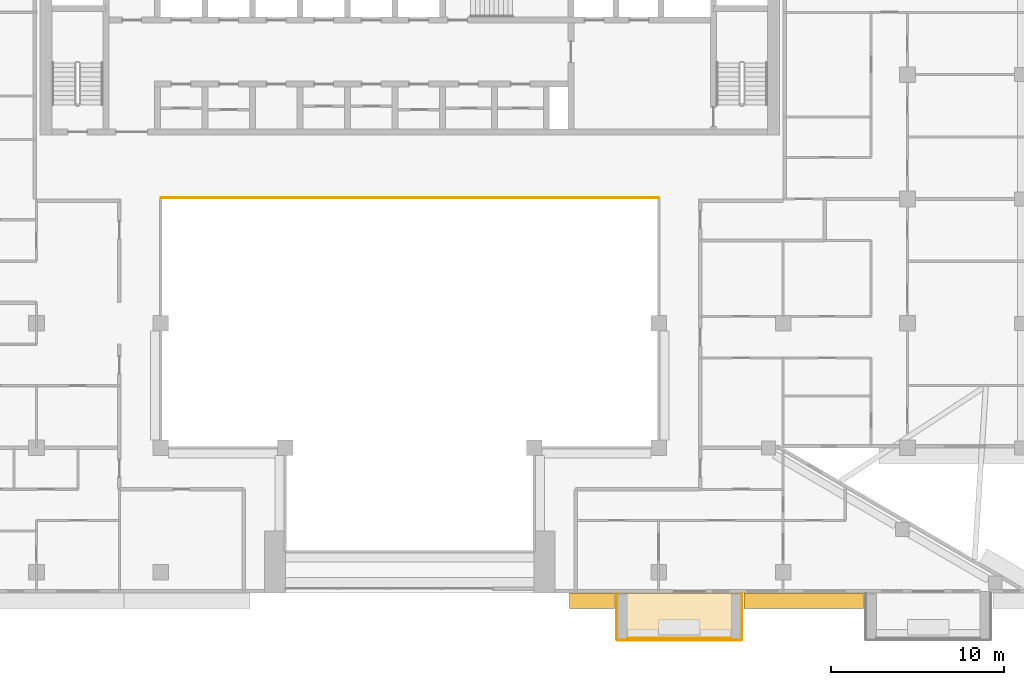
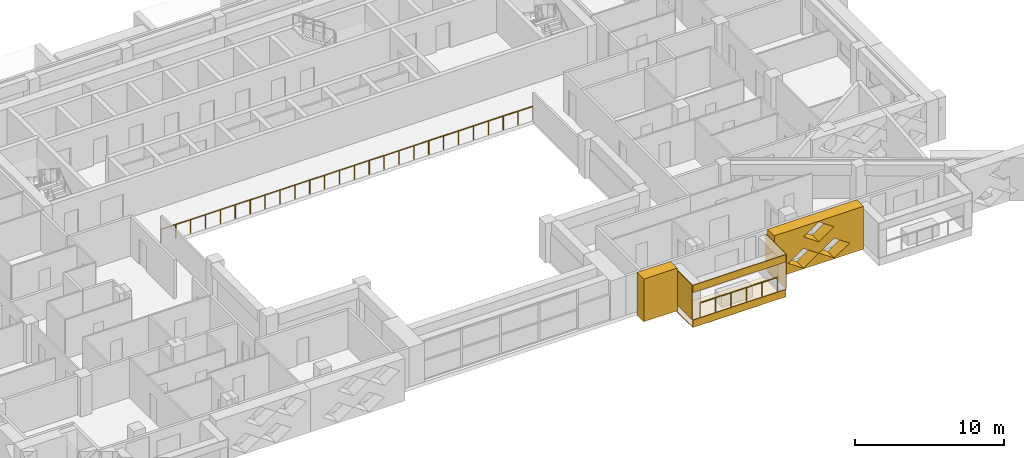
# One storey, part 16 of 20: 7 coverings, 2 railings.
"""IFC4 building model written with IfcOpenShell, lengths in metres."""

from ifc_helpers import new_model, si_unit, direction, frame, origin, origin_2d, place, context, subcontext, project, spatial, polyline, circle, outline, extrude, material, layer, layer_set, type_object, element, save


model = new_model("IFC4")

# Units and contexts
model_context = context("Model", 3, precision=1e-05, world=origin(), true_north=direction((0.0, 1.0)))
body_context = subcontext(model_context, "Body", "Model", "MODEL_VIEW")
ifc_project = project(units=[si_unit("LENGTHUNIT", "METRE"), si_unit("AREAUNIT", "SQUARE_METRE"), si_unit("VOLUMEUNIT", "CUBIC_METRE"), si_unit("PLANEANGLEUNIT", "RADIAN"), si_unit("MASSUNIT", "GRAM", prefix="KILO")], contexts=[model_context])

# Site, building, storey
site_placement = place(None, origin())
site = spatial("IfcSite", under=ifc_project, at=site_placement, CompositionType="ELEMENT")
building_placement = place(site_placement, origin())
building = spatial("IfcBuilding", under=site, at=building_placement, Name="Saffron Iwan Residences", CompositionType="ELEMENT")
storey_placement = place(building_placement, frame((0.0, 0.0, 192.0)))
storey = spatial("IfcBuildingStorey", under=building, at=storey_placement, Name="L51", CompositionType="ELEMENT", Elevation=192.0)

# Railings
ifc_material_1 = material(Name="Stainless steel 316", Category="steel")
railing_type_1 = type_object("IfcRailingType", Name="Atrium guard 1150", PredefinedType="GUARDRAIL", material=ifc_material_1)
railing_1_placement = place(storey_placement, frame((36.0, 62.47509765625, 0.0)))
element("IfcRailing", 1, at=railing_1_placement, inside=storey, type_object=railing_type_1, Name="Atrium guard L51", PredefinedType="GUARDRAIL", context=body_context, shape_type="SweptSolid", body=[
    extrude(circle(Radius=0.02392578125, at=origin_2d()), frame((0.0, 0.0, 1.1259765625), z_axis=(1.0, 0.0, 0.0), x_axis=(0.0, 1.0, 0.0)), (0.0, 0.0, 1.0), 28.800048828125),
    extrude(circle(Radius=0.02099609375, at=origin_2d()), origin(), (0.0, 0.0, 1.0), 1.101806640625),
    extrude(circle(Radius=0.02099609375, at=origin_2d()), frame((1.152099609375, 0.0, 0.0)), (0.0, 0.0, 1.0), 1.101806640625),
    extrude(circle(Radius=0.02099609375, at=origin_2d()), frame((2.303955078125, 0.0, 0.0)), (0.0, 0.0, 1.0), 1.101806640625),
    extrude(circle(Radius=0.02099609375, at=origin_2d()), frame((3.4560546875, 0.0, 0.0)), (0.0, 0.0, 1.0), 1.101806640625),
    extrude(circle(Radius=0.02099609375, at=origin_2d()), frame((4.60791015625, 0.0, 0.0)), (0.0, 0.0, 1.0), 1.101806640625),
    extrude(circle(Radius=0.02099609375, at=origin_2d()), frame((5.760009765625, 0.0, 0.0)), (0.0, 0.0, 1.0), 1.101806640625),
    extrude(circle(Radius=0.02099609375, at=origin_2d()), frame((6.912109375, 0.0, 0.0)), (0.0, 0.0, 1.0), 1.101806640625),
    extrude(circle(Radius=0.02099609375, at=origin_2d()), frame((8.06396484375, 0.0, 0.0)), (0.0, 0.0, 1.0), 1.101806640625),
    extrude(circle(Radius=0.02099609375, at=origin_2d()), frame((9.216064453125, 0.0, 0.0)), (0.0, 0.0, 1.0), 1.101806640625),
    extrude(circle(Radius=0.02099609375, at=origin_2d()), frame((10.367919921875, 0.0, 0.0)), (0.0, 0.0, 1.0), 1.101806640625),
    extrude(circle(Radius=0.02099609375, at=origin_2d()), frame((11.52001953125, 0.0, 0.0)), (0.0, 0.0, 1.0), 1.101806640625),
    extrude(circle(Radius=0.02099609375, at=origin_2d()), frame((12.672119140625, 0.0, 0.0)), (0.0, 0.0, 1.0), 1.101806640625),
    extrude(circle(Radius=0.02099609375, at=origin_2d()), frame((13.823974609375, 0.0, 0.0)), (0.0, 0.0, 1.0), 1.101806640625),
    extrude(circle(Radius=0.02099609375, at=origin_2d()), frame((14.97607421875, 0.0, 0.0)), (0.0, 0.0, 1.0), 1.101806640625),
    extrude(circle(Radius=0.02099609375, at=origin_2d()), frame((16.1279296875, 0.0, 0.0)), (0.0, 0.0, 1.0), 1.101806640625),
    extrude(circle(Radius=0.02099609375, at=origin_2d()), frame((17.280029296875, 0.0, 0.0)), (0.0, 0.0, 1.0), 1.101806640625),
    extrude(circle(Radius=0.02099609375, at=origin_2d()), frame((18.43212890625, 0.0, 0.0)), (0.0, 0.0, 1.0), 1.101806640625),
    extrude(circle(Radius=0.02099609375, at=origin_2d()), frame((19.583984375, 0.0, 0.0)), (0.0, 0.0, 1.0), 1.101806640625),
    extrude(circle(Radius=0.02099609375, at=origin_2d()), frame((20.736083984375, 0.0, 0.0)), (0.0, 0.0, 1.0), 1.101806640625),
    extrude(circle(Radius=0.02099609375, at=origin_2d()), frame((21.887939453125, 0.0, 0.0)), (0.0, 0.0, 1.0), 1.101806640625),
    extrude(circle(Radius=0.02099609375, at=origin_2d()), frame((23.0400390625, 0.0, 0.0)), (0.0, 0.0, 1.0), 1.101806640625),
    extrude(circle(Radius=0.02099609375, at=origin_2d()), frame((24.192138671875, 0.0, 0.0)), (0.0, 0.0, 1.0), 1.101806640625),
    extrude(circle(Radius=0.02099609375, at=origin_2d()), frame((25.343994140625, 0.0, 0.0)), (0.0, 0.0, 1.0), 1.101806640625),
    extrude(circle(Radius=0.02099609375, at=origin_2d()), frame((26.49609375, 0.0, 0.0)), (0.0, 0.0, 1.0), 1.101806640625),
    extrude(circle(Radius=0.02099609375, at=origin_2d()), frame((27.64794921875, 0.0, 0.0)), (0.0, 0.0, 1.0), 1.101806640625),
    extrude(circle(Radius=0.02099609375, at=origin_2d()), frame((28.800048828125, 0.0, 0.0)), (0.0, 0.0, 1.0), 1.101806640625),
])
railing_type_2 = type_object("IfcRailingType", Name="BALCONY GUARD 1150", PredefinedType="GUARDRAIL", material=ifc_material_1)
railing_2_placement = place(storey_placement, frame((63.0, 36.97509765625, 0.0)))
element("IfcRailing", 2, at=railing_2_placement, inside=storey, type_object=railing_type_2, Name="Balcony guard L51 11-2", PredefinedType="GUARDRAIL", context=body_context, shape_type="SweptSolid", body=[
    extrude(circle(Radius=0.02392578125, at=origin_2d()), frame((0.0, 0.0, 1.1259765625), z_axis=(1.0, 0.0, 0.0), x_axis=(0.0, 1.0, 0.0)), (0.0, 0.0, 1.0), 6.0),
    extrude(circle(Radius=0.02099609375, at=origin_2d()), origin(), (0.0, 0.0, 1.0), 1.101806640625),
    extrude(circle(Radius=0.02099609375, at=origin_2d()), frame((1.199951171875, 0.0, 0.0)), (0.0, 0.0, 1.0), 1.101806640625),
    extrude(circle(Radius=0.02099609375, at=origin_2d()), frame((2.39990234375, 0.0, 0.0)), (0.0, 0.0, 1.0), 1.101806640625),
    extrude(circle(Radius=0.02099609375, at=origin_2d()), frame((3.60009765625, 0.0, 0.0)), (0.0, 0.0, 1.0), 1.101806640625),
    extrude(circle(Radius=0.02099609375, at=origin_2d()), frame((4.800048828125, 0.0, 0.0)), (0.0, 0.0, 1.0), 1.101806640625),
    extrude(circle(Radius=0.02099609375, at=origin_2d()), frame((6.0, 0.0, 0.0)), (0.0, 0.0, 1.0), 1.101806640625),
])

# Coverings
ifc_material_2 = material(Name="Precast concrete C40/50 white painted", Category="concrete")
ifc_layer = layer(ifc_material_2, 0.050048828125)
ifc_layer_set = layer_set([ifc_layer], Name="Precast concrete C40/50 white painted")
covering_type_1 = type_object("IfcCoveringType", Name="FRAME SKIN PRECAST WHITE 50", PredefinedType="CLADDING", material=ifc_layer_set)
for number, where, name in (
    (3, (0.0, 0.0, -0.60009765625), "Frame skin slab edge L51 11-2"),
    (4, (0.0, 0.0, 2.25), "Frame skin fascia L51 11-2"),
):
    element("IfcCovering", number, at=place(storey_placement, frame(where)), inside=storey, type_object=covering_type_1, Name=name, PredefinedType="CLADDING", context=body_context, shape_type="SweptSolid", body=[
        extrude(outline(polyline([(62.39990234375, 36.85009765625), (69.60009765625, 36.85009765625), (69.60009765625, 36.89990234375), (62.39990234375, 36.89990234375), (62.39990234375, 36.85009765625)])), origin(), (0.0, 0.0, 1.0), 0.60009765625),
    ])
covering_1_placement = place(storey_placement, frame((0.0, 0.0, -0.64990234375)))
element("IfcCovering", 5, at=covering_1_placement, inside=storey, type_object=covering_type_1, Name="Frame skin soffit L51 11-2", PredefinedType="CLADDING", context=body_context, shape_type="SweptSolid", body=[
    extrude(outline(polyline([(62.39990234375, 36.89990234375), (69.60009765625, 36.89990234375), (69.60009765625, 39.60009765625), (62.39990234375, 39.60009765625), (62.39990234375, 36.89990234375)])), origin(), (0.0, 0.0, 1.0), 0.0498046875),
])
covering_2_placement = place(storey_placement, origin())
element("IfcCovering", 6, at=covering_2_placement, inside=storey, type_object=covering_type_1, Name="Frame skin fin L51 11-2a", PredefinedType="CLADDING", context=body_context, shape_type="SweptSolid", body=[
    extrude(outline(polyline([(62.35009765625, 36.89990234375), (62.39990234375, 36.89990234375), (62.39990234375, 39.60009765625), (62.35009765625, 39.60009765625), (62.35009765625, 36.89990234375)])), origin(), (0.0, 0.0, 1.0), 2.85009765625),
])
covering_3_placement = place(storey_placement, origin())
element("IfcCovering", 7, at=covering_3_placement, inside=storey, type_object=covering_type_1, Name="Frame skin fin L51 11-2b", PredefinedType="CLADDING", context=body_context, shape_type="SweptSolid", body=[
    extrude(outline(polyline([(69.60009765625, 36.89990234375), (69.64990234375, 36.89990234375), (69.64990234375, 39.60009765625), (69.60009765625, 39.60009765625), (69.60009765625, 36.89990234375)])), origin(), (0.0, 0.0, 1.0), 2.85009765625),
])
ifc_material_3 = material(Name="Precast concrete C40/50", Category="concrete")
covering_type_2 = type_object("IfcCoveringType", Name="OUTER SKIN LATTICE SCREEN", PredefinedType="CLADDING", material=ifc_material_3)
covering_4_placement = place(storey_placement, frame((59.64990234375, 39.60009765625, -0.300048828125), z_axis=(0.0, -1.0, 0.0), x_axis=(1.0, 0.0, 0.0)))
element("IfcCovering", 8, at=covering_4_placement, inside=storey, type_object=covering_type_2, Name="OUTER SKIN lattice screen L51 F11.3", PredefinedType="CLADDING", context=body_context, shape_type="SweptSolid", body=[
    extrude(outline(polyline([(0.0, 0.0), (2.60009765625, 0.0), (2.60009765625, 3.5), (0.0, 3.5), (0.0, 0.0)])), origin(), (0.0, 0.0, 1.0), 0.900146484375),
])
covering_5_placement = place(storey_placement, frame((69.75, 39.60009765625, -0.300048828125), z_axis=(0.0, -1.0, 0.0), x_axis=(1.0, 0.0, 0.0)))
element("IfcCovering", 9, at=covering_5_placement, inside=storey, type_object=covering_type_2, Name="OUTER SKIN lattice screen L51 F11.4", PredefinedType="CLADDING", context=body_context, shape_type="SweptSolid", body=[
    extrude(outline(polyline([(0.0, 0.0), (6.89990234375, 0.0), (6.89990234375, 3.5), (0.0, 3.5), (0.0, 0.0)]), holes=[polyline([(1.070068359375, 0.875), (2.25, 0.06005859375), (3.429931640625, 0.875), (2.25, 1.68994140625), (1.070068359375, 0.875)]), polyline([(3.469970703125, 0.875), (4.64990234375, 0.06005859375), (5.830078125, 0.875), (4.64990234375, 1.68994140625), (3.469970703125, 0.875)]), polyline([(2.27001953125, 2.625), (3.449951171875, 1.81005859375), (4.6298828125, 2.625), (3.449951171875, 3.43994140625), (2.27001953125, 2.625)])]), origin(), (0.0, 0.0, 1.0), 0.900146484375),
])

save(model, "model.ifc")
